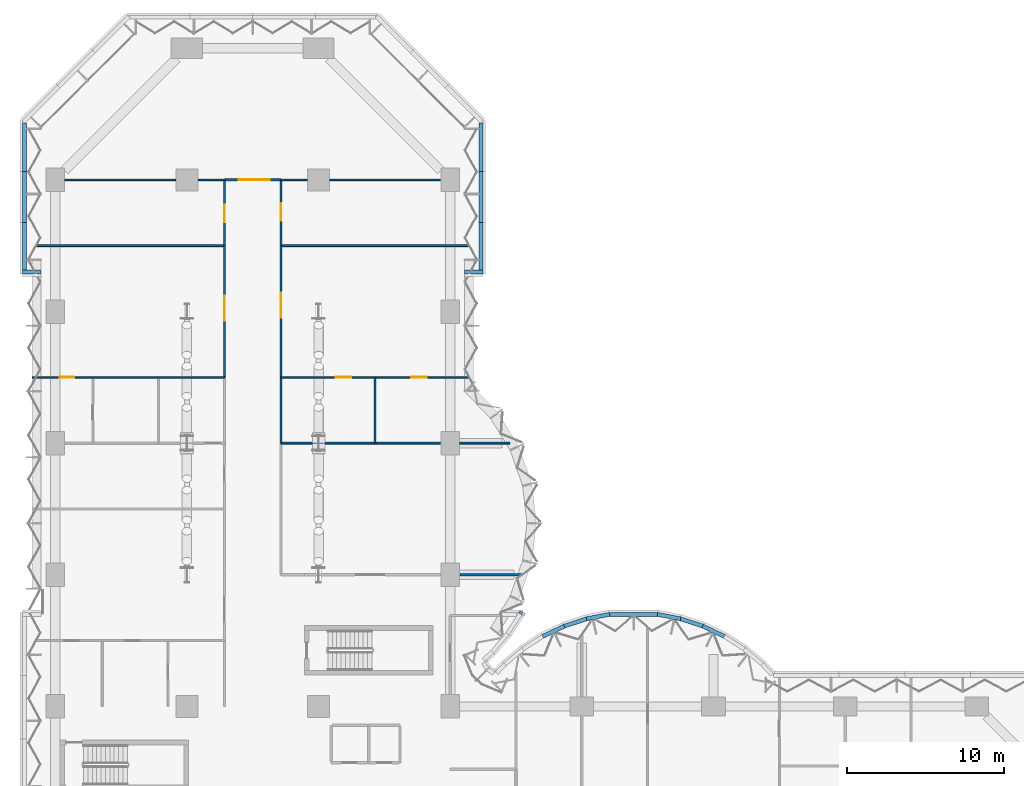
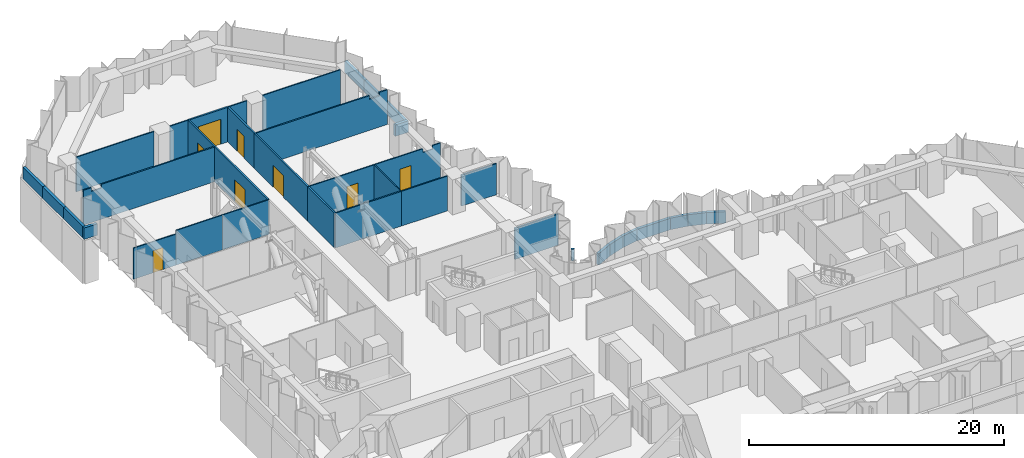
# One storey, part 14 of 24: 38 walls, 8 doors, 8 openings.
"""IFC4 building model written with IfcOpenShell, lengths in metres."""

from ifc_helpers import new_model, si_unit, direction, frame, frame_2d, origin, place, context, subcontext, project, spatial, polyline, rectangle, outline, extrude, material, layer, layer_set, type_object, element, fill, save


model = new_model("IFC4")

# Units and contexts
model_context = context("Model", 3, precision=1e-05, world=origin(), true_north=direction((0.0, 1.0)))
body_context = subcontext(model_context, "Body", "Model", "MODEL_VIEW")
ifc_project = project(units=[si_unit("LENGTHUNIT", "METRE"), si_unit("AREAUNIT", "SQUARE_METRE"), si_unit("VOLUMEUNIT", "CUBIC_METRE"), si_unit("PLANEANGLEUNIT", "RADIAN"), si_unit("MASSUNIT", "GRAM", prefix="KILO")], contexts=[model_context])

# Site, building, storey
site_placement = place(None, origin())
site = spatial("IfcSite", under=ifc_project, at=site_placement, CompositionType="ELEMENT")
building_placement = place(site_placement, origin())
building = spatial("IfcBuilding", under=site, at=building_placement, Name="Brevane Broadcast Tower", CompositionType="ELEMENT")
storey_placement = place(building_placement, frame((0.0, 0.0, 36.5)))
storey = spatial("IfcBuildingStorey", under=building, at=storey_placement, Name="L06", CompositionType="ELEMENT", Elevation=36.5)

# Walls
ifc_material_1 = material(Name="Concrete C50/60", Category="concrete")
ifc_layer_1 = layer(ifc_material_1, 0.25)
ifc_layer_set_1 = layer_set([ifc_layer_1], Name="CORNICE PARAPET 1100")
wall_type_1 = type_object("IfcWallType", Name="CORNICE PARAPET 1100", PredefinedType="PARAPET", material=ifc_layer_set_1)
wall_1_placement = place(storey_placement, frame((29.741943359375, 31.253662109375, 0.0), z_axis=(0.0, 0.0, 1.0), x_axis=(-0.430340964607, -0.902666413566, 0.0)))
element("IfcWall", 1, at=wall_1_placement, inside=storey, type_object=wall_type_1, Name="Cornice parapet", PredefinedType="PARAPET", context=body_context, shape_type="SweptSolid", body=[
    extrude(rectangle(XDim=0.162841796875, YDim=0.25, at=frame_2d((0.08154296875, 0.0))), origin(), (0.0, 0.0, 1.0), 1.10009765625),
])
wall_2_placement = place(storey_placement, frame((31.106689453125, 29.671875, 0.0), z_axis=(0.0, 0.0, 1.0), x_axis=(0.902810221444, 0.430039188977, 0.0)))
element("IfcWall", 2, at=wall_2_placement, inside=storey, type_object=wall_type_1, Name="Cornice parapet", PredefinedType="PARAPET", context=body_context, shape_type="SweptSolid", body=[
    extrude(rectangle(XDim=1.525390625, YDim=0.25, at=frame_2d((0.7626953125, 0.0))), origin(), (0.0, 0.0, 1.0), 1.10009765625),
])
wall_3_placement = place(storey_placement, frame((32.46923828125, 30.322021484375, 0.0), z_axis=(0.0, 0.0, 1.0), x_axis=(0.95006631844, 0.312048058103, 0.0)))
element("IfcWall", 3, at=wall_3_placement, inside=storey, type_object=wall_type_1, Name="Cornice parapet", PredefinedType="PARAPET", context=body_context, shape_type="SweptSolid", body=[
    extrude(rectangle(XDim=1.525634765625, YDim=0.25, at=frame_2d((0.7626953125, 0.0))), origin(), (0.0, 0.0, 1.0), 1.10009765625),
])
wall_4_placement = place(storey_placement, frame((33.9033203125, 30.794189453125, 0.0), z_axis=(0.0, 0.0, 1.0), x_axis=(0.981913193778, 0.189331666354, 0.0)))
element("IfcWall", 4, at=wall_4_placement, inside=storey, type_object=wall_type_1, Name="Cornice parapet", PredefinedType="PARAPET", context=body_context, shape_type="SweptSolid", body=[
    extrude(rectangle(XDim=1.495849609375, YDim=0.25, at=frame_2d((0.748046875, 0.0))), origin(), (0.0, 0.0, 1.0), 1.10009765625),
])
wall_5_placement = place(storey_placement, frame((35.348388671875, 31.074951171875, 0.0), z_axis=(0.0, 0.0, 1.0), x_axis=(1.0, 0.0, 0.0)))
element("IfcWall", 5, at=wall_5_placement, inside=storey, type_object=wall_type_1, Name="Cornice parapet", PredefinedType="PARAPET", context=body_context, shape_type="SweptSolid", body=[
    extrude(rectangle(XDim=3.103271484375, YDim=0.25, at=frame_2d((1.5517578125, 0.0))), origin(), (0.0, 0.0, 1.0), 1.10009765625),
])
wall_6_placement = place(storey_placement, frame((38.427978515625, 31.077392578125, 0.0), z_axis=(0.0, 0.0, 1.0), x_axis=(0.981913193778, -0.189331666354, 0.0)))
element("IfcWall", 6, at=wall_6_placement, inside=storey, type_object=wall_type_1, Name="Cornice parapet", PredefinedType="PARAPET", context=body_context, shape_type="SweptSolid", body=[
    extrude(rectangle(XDim=1.495849609375, YDim=0.25, at=frame_2d((0.748046875, 0.0))), origin(), (0.0, 0.0, 1.0), 1.10009765625),
])
for number, where, z_axis, x_axis, name in (
    (7, (39.88134765625, 30.798095703125, 0.0), (0.0, 0.0, 1.0), (0.95006631844, -0.312048058103, 0.0), "Cornice parapet"),
    (8, (41.31591796875, 30.327880859375, 0.0), (0.0, 0.0, 1.0), (0.902839812626, -0.42997706071, 0.0), "Cornice parapet"),
):
    element("IfcWall", number, at=place(storey_placement, frame(where, z_axis=z_axis, x_axis=x_axis)), inside=storey, type_object=wall_type_1, Name=name, PredefinedType="PARAPET", context=body_context, shape_type="SweptSolid", body=[
        extrude(rectangle(XDim=1.525634765625, YDim=0.25, at=frame_2d((0.7626953125, 0.0))), origin(), (0.0, 0.0, 1.0), 1.10009765625),
    ])
wall_7_placement = place(storey_placement, frame((27.175048828125, 62.427001953125, 0.0), z_axis=(0.0, 0.0, 1.0), x_axis=(0.0, -1.0, 0.0)))
element("IfcWall", 9, at=wall_7_placement, inside=storey, type_object=wall_type_1, Name="Cornice parapet", PredefinedType="PARAPET", context=body_context, shape_type="SweptSolid", body=[
    extrude(rectangle(XDim=3.095703125, YDim=0.25, at=frame_2d((1.5478515625, 0.0))), origin(), (0.0, 0.0, 1.0), 1.10009765625),
])
wall_8_placement = place(storey_placement, frame((27.175048828125, 59.331298828125, 0.0), z_axis=(0.0, 0.0, 1.0), x_axis=(0.0, -1.0, 0.0)))
element("IfcWall", 10, at=wall_8_placement, inside=storey, type_object=wall_type_1, Name="Cornice parapet", PredefinedType="PARAPET", context=body_context, shape_type="SweptSolid", body=[
    extrude(rectangle(XDim=3.265625, YDim=0.25, at=frame_2d((1.6328125, 0.0))), origin(), (0.0, 0.0, 1.0), 1.10009765625),
])
wall_9_placement = place(storey_placement, frame((27.175048828125, 56.065673828125, 0.0), z_axis=(0.0, 0.0, 1.0), x_axis=(0.0, -1.0, 0.0)))
element("IfcWall", 11, at=wall_9_placement, inside=storey, type_object=wall_type_1, Name="Cornice parapet", PredefinedType="PARAPET", context=body_context, shape_type="SweptSolid", body=[
    extrude(rectangle(XDim=3.015625, YDim=0.25, at=frame_2d((1.5078125, 0.0))), origin(), (0.0, 0.0, 1.0), 1.10009765625),
])
wall_10_placement = place(storey_placement, frame((27.300048828125, 52.925048828125, 0.0), z_axis=(0.0, 0.0, 1.0), x_axis=(-1.0, 0.0, 0.0)))
element("IfcWall", 12, at=wall_10_placement, inside=storey, type_object=wall_type_1, Name="Cornice parapet", PredefinedType="PARAPET", context=body_context, shape_type="SweptSolid", body=[
    extrude(rectangle(XDim=1.199951171875, YDim=0.25, at=frame_2d((0.60009765625, 0.0))), origin(), (0.0, 0.0, 1.0), 1.10009765625),
])
wall_11_placement = place(storey_placement, frame((-0.89990234375, 52.925048828125, 0.0), z_axis=(0.0, 0.0, 1.0), x_axis=(-1.0, 0.0, 0.0)))
element("IfcWall", 13, at=wall_11_placement, inside=storey, type_object=wall_type_1, Name="Cornice parapet", PredefinedType="PARAPET", context=body_context, shape_type="SweptSolid", body=[
    extrude(rectangle(XDim=1.2001953125, YDim=0.25, at=frame_2d((0.60009765625, 0.0))), origin(), (0.0, 0.0, 1.0), 1.10009765625),
])
wall_12_placement = place(storey_placement, frame((-1.97509765625, 53.050048828125, 0.0), z_axis=(0.0, 0.0, 1.0), x_axis=(0.0, 1.0, 0.0)))
element("IfcWall", 14, at=wall_12_placement, inside=storey, type_object=wall_type_1, Name="Cornice parapet", PredefinedType="PARAPET", context=body_context, shape_type="SweptSolid", body=[
    extrude(rectangle(XDim=3.015625, YDim=0.25, at=frame_2d((1.5078125, 0.0))), origin(), (0.0, 0.0, 1.0), 1.10009765625),
])
wall_13_placement = place(storey_placement, frame((-1.97509765625, 56.065673828125, 0.0), z_axis=(0.0, 0.0, 1.0), x_axis=(0.0, 1.0, 0.0)))
element("IfcWall", 15, at=wall_13_placement, inside=storey, type_object=wall_type_1, Name="Cornice parapet", PredefinedType="PARAPET", context=body_context, shape_type="SweptSolid", body=[
    extrude(rectangle(XDim=3.265625, YDim=0.25, at=frame_2d((1.6328125, 0.0))), origin(), (0.0, 0.0, 1.0), 1.10009765625),
])
wall_14_placement = place(storey_placement, frame((-1.97509765625, 59.331298828125, 0.0), z_axis=(0.0, 0.0, 1.0), x_axis=(0.0, 1.0, 0.0)))
element("IfcWall", 16, at=wall_14_placement, inside=storey, type_object=wall_type_1, Name="Cornice parapet", PredefinedType="PARAPET", context=body_context, shape_type="SweptSolid", body=[
    extrude(rectangle(XDim=3.095703125, YDim=0.25, at=frame_2d((1.5478515625, 0.0))), origin(), (0.0, 0.0, 1.0), 1.10009765625),
])
ifc_material_2 = material(Name="Gypsum board partition")
ifc_layer_2 = layer(ifc_material_2, 0.10009765625)
ifc_layer_set_2 = layer_set([ifc_layer_2], Name="PARTITION 100 STUD")
wall_type_2 = type_object("IfcWallType", Name="PARTITION 100 STUD", PredefinedType="PARTITIONING", material=ifc_layer_set_2)
wall_15_placement = place(storey_placement, frame((10.800048828125, 58.800048828125, 0.0), z_axis=(0.0, 0.0, 1.0), x_axis=(-1.0, 0.0, 0.0)))
element("IfcWall", 17, at=wall_15_placement, inside=storey, type_object=wall_type_2, Name="Partition G01-068", PredefinedType="PARTITIONING", context=body_context, shape_type="SweptSolid", body=[
    extrude(rectangle(XDim=1.679931640625, YDim=0.10009765625, at=frame_2d((0.83984375, 0.0))), origin(), (0.0, 0.0, 1.0), 3.330078125),
])
wall_16_placement = place(storey_placement, frame((7.679931640625, 58.800048828125, 0.0), z_axis=(0.0, 0.0, 1.0), x_axis=(-1.0, 0.0, 0.0)))
element("IfcWall", 18, at=wall_16_placement, inside=storey, type_object=wall_type_2, Name="Partition G01-069", PredefinedType="PARTITIONING", context=body_context, shape_type="SweptSolid", body=[
    extrude(rectangle(XDim=7.059814453125, YDim=0.10009765625, at=frame_2d((3.52978515625, 0.0))), origin(), (0.0, 0.0, 1.0), 3.330078125),
])
wall_17_placement = place(storey_placement, frame((24.580078125, 58.800048828125, 0.0), z_axis=(0.0, 0.0, 1.0), x_axis=(-1.0, 0.0, 0.0)))
element("IfcWall", 19, at=wall_17_placement, inside=storey, type_object=wall_type_2, Name="Partition G01-070", PredefinedType="PARTITIONING", context=body_context, shape_type="SweptSolid", body=[
    extrude(rectangle(XDim=7.06005859375, YDim=0.10009765625, at=frame_2d((3.530029296875, 0.0))), origin(), (0.0, 0.0, 1.0), 3.330078125),
])
wall_18_placement = place(storey_placement, frame((16.080078125, 58.800048828125, 0.0), z_axis=(0.0, 0.0, 1.0), x_axis=(-1.0, 0.0, 0.0)))
element("IfcWall", 20, at=wall_18_placement, inside=storey, type_object=wall_type_2, Name="Partition G01-071", PredefinedType="PARTITIONING", context=body_context, shape_type="SweptSolid", body=[
    extrude(rectangle(XDim=1.68017578125, YDim=0.10009765625, at=frame_2d((0.840087890625, 0.0))), origin(), (0.0, 0.0, 1.0), 3.330078125),
])

# Wall, opening, door
wall_19_placement = place(storey_placement, frame((2.39990234375, 46.199951171875, 0.0), z_axis=(0.0, 0.0, 1.0), x_axis=(-1.0, 0.0, 0.0)))
wall_19 = element("IfcWall", 21, at=wall_19_placement, inside=storey, type_object=wall_type_2, Name="Partition G01-081", PredefinedType="PARTITIONING", context=body_context, shape_type="SweptSolid", body=[
    extrude(rectangle(XDim=3.869873046875, YDim=0.10009765625, at=frame_2d((1.93505859375, 0.0))), origin(), (0.0, 0.0, 1.0), 2.97998046875),
])
opening_1_placement = place(wall_19_placement, frame((1.199951171875, 0.0, 0.0)))
opening_1 = element("IfcOpeningElement", 22, at=opening_1_placement, cuts=wall_19, Name="Opening D07-027", PredefinedType="OPENING", context=body_context, shape_type="SweptSolid", body=[
    extrude(rectangle(XDim=0.89990234375, YDim=2.10009765625, at=frame_2d((0.449951171875, 1.050048828125))), frame((0.0, 0.06005859375, 0.0), z_axis=(0.0, -1.0, 0.0), x_axis=(1.0, 0.0, 0.0)), (0.0, 0.0, 1.0), 0.1201171875),
])
ifc_material_3 = material(Name="Timber door leaf", Category="wood")
door_type_1 = type_object("IfcDoorType", Name="DOOR SINGLE 900 INTERNAL", OperationType="SINGLE_SWING_LEFT", PredefinedType="DOOR", material=ifc_material_3)
door_1_placement = place(opening_1_placement, origin())
door_1 = element("IfcDoor", 23, at=door_1_placement, inside=storey, type_object=door_type_1, Name="Door D07-027", OperationType="SINGLE_SWING_LEFT", OverallHeight=2.10009765625, OverallWidth=0.89990234375, PredefinedType="DOOR", context=body_context, shape_type="SweptSolid", body=[
    extrude(rectangle(XDim=0.89990234375, YDim=2.10009765625, at=frame_2d((0.449951171875, 1.050048828125))), frame((0.0, 0.02490234375, 0.0), z_axis=(0.0, -1.0, 0.0), x_axis=(1.0, 0.0, 0.0)), (0.0, 0.0, 1.0), 0.050048828125),
])
fill(opening_1, door_1)

# Walls
wall_20_placement = place(storey_placement, frame((6.60009765625, 46.199951171875, 0.0), z_axis=(0.0, 0.0, 1.0), x_axis=(-1.0, 0.0, 0.0)))
element("IfcWall", 24, at=wall_20_placement, inside=storey, type_object=wall_type_2, Name="Partition G01-082", PredefinedType="PARTITIONING", context=body_context, shape_type="SweptSolid", body=[
    extrude(rectangle(XDim=4.2001953125, YDim=0.10009765625, at=frame_2d((2.10009765625, 0.0))), origin(), (0.0, 0.0, 1.0), 3.330078125),
])
wall_21_placement = place(storey_placement, frame((10.800048828125, 46.199951171875, 0.0), z_axis=(0.0, 0.0, 1.0), x_axis=(-1.0, 0.0, 0.0)))
element("IfcWall", 25, at=wall_21_placement, inside=storey, type_object=wall_type_2, Name="Partition G01-083", PredefinedType="PARTITIONING", context=body_context, shape_type="SweptSolid", body=[
    extrude(rectangle(XDim=4.199951171875, YDim=0.10009765625, at=frame_2d((2.10009765625, 0.0))), origin(), (0.0, 0.0, 1.0), 3.330078125),
])

# Wall, opening, door
wall_22_placement = place(storey_placement, frame((20.39990234375, 46.199951171875, 0.0), z_axis=(0.0, 0.0, 1.0), x_axis=(-1.0, 0.0, 0.0)))
wall_22 = element("IfcWall", 26, at=wall_22_placement, inside=storey, type_object=wall_type_2, Name="Partition G01-090", PredefinedType="PARTITIONING", context=body_context, shape_type="SweptSolid", body=[
    extrude(rectangle(XDim=6.0, YDim=0.10009765625, at=frame_2d((3.0, 0.0))), origin(), (0.0, 0.0, 1.0), 3.330078125),
])
opening_2_placement = place(wall_22_placement, frame((1.5, 0.0, 0.0)))
opening_2 = element("IfcOpeningElement", 27, at=opening_2_placement, cuts=wall_22, Name="Opening D07-033", PredefinedType="OPENING", context=body_context, shape_type="SweptSolid", body=[
    extrude(rectangle(XDim=1.0, YDim=2.10009765625, at=frame_2d((0.5, 1.050048828125))), frame((0.0, 0.06005859375, 0.0), z_axis=(0.0, -1.0, 0.0), x_axis=(1.0, 0.0, 0.0)), (0.0, 0.0, 1.0), 0.1201171875),
])
door_type_2 = type_object("IfcDoorType", Name="DOOR SINGLE 1000 INTERNAL", OperationType="SINGLE_SWING_LEFT", PredefinedType="DOOR", material=ifc_material_3)
door_2_placement = place(opening_2_placement, origin())
door_2 = element("IfcDoor", 28, at=door_2_placement, inside=storey, type_object=door_type_2, Name="Door D07-033", OperationType="SINGLE_SWING_LEFT", OverallHeight=2.10009765625, OverallWidth=1.0, PredefinedType="DOOR", context=body_context, shape_type="SweptSolid", body=[
    extrude(rectangle(XDim=1.0, YDim=2.10009765625, at=frame_2d((0.5, 1.050048828125))), frame((0.0, 0.02490234375, 0.0), z_axis=(0.0, -1.0, 0.0), x_axis=(1.0, 0.0, 0.0)), (0.0, 0.0, 1.0), 0.050048828125),
])
fill(opening_2, door_2)

wall_23_placement = place(storey_placement, frame((26.3740234375, 46.199951171875, 0.0), z_axis=(0.0, 0.0, 1.0), x_axis=(-1.0, 0.0, 0.0)))
wall_23 = element("IfcWall", 29, at=wall_23_placement, inside=storey, type_object=wall_type_2, Name="Partition G01-091", PredefinedType="PARTITIONING", context=body_context, shape_type="SweptSolid", body=[
    extrude(outline(polyline([(0.0, 0.0), (5.97412109375, 0.0), (5.97412109375, 3.330078125), (1.6240234375, 3.330078125), (1.6220703125, 2.97998046875), (0.72607421875, 2.97998046875), (0.72412109375, 3.330078125), (0.073974609375, 3.330078125), (0.0, 3.330078125), (0.0, 0.0)])), frame((0.0, 0.050048828125, 0.0), z_axis=(0.0, -1.0, 0.0), x_axis=(1.0, 0.0, 0.0)), (0.0, 0.0, 1.0), 0.10009765625),
])
opening_3_placement = place(wall_23_placement, frame((2.674072265625, 0.0, 0.0)))
opening_3 = element("IfcOpeningElement", 30, at=opening_3_placement, cuts=wall_23, Name="Opening D07-034", PredefinedType="OPENING", context=body_context, shape_type="SweptSolid", body=[
    extrude(rectangle(XDim=1.0, YDim=2.10009765625, at=frame_2d((0.5, 1.050048828125))), frame((0.0, 0.06005859375, 0.0), z_axis=(0.0, -1.0, 0.0), x_axis=(1.0, 0.0, 0.0)), (0.0, 0.0, 1.0), 0.1201171875),
])
door_3_placement = place(opening_3_placement, origin())
door_3 = element("IfcDoor", 31, at=door_3_placement, inside=storey, type_object=door_type_2, Name="Door D07-034", OperationType="SINGLE_SWING_LEFT", OverallHeight=2.10009765625, OverallWidth=1.0, PredefinedType="DOOR", context=body_context, shape_type="SweptSolid", body=[
    extrude(rectangle(XDim=1.0, YDim=2.10009765625, at=frame_2d((0.5, 1.050048828125))), frame((0.0, 0.02490234375, 0.0), z_axis=(0.0, -1.0, 0.0), x_axis=(1.0, 0.0, 0.0)), (0.0, 0.0, 1.0), 0.050048828125),
])
fill(opening_3, door_3)

# Walls
wall_24_placement = place(storey_placement, frame((20.39990234375, 46.199951171875, 0.0), z_axis=(0.0, 0.0, 1.0), x_axis=(0.0, -1.0, 0.0)))
element("IfcWall", 32, at=wall_24_placement, inside=storey, type_object=wall_type_2, Name="Partition G01-093", PredefinedType="PARTITIONING", context=body_context, shape_type="SweptSolid", body=[
    extrude(rectangle(XDim=4.199951171875, YDim=0.10009765625, at=frame_2d((2.10009765625, 0.0))), origin(), (0.0, 0.0, 1.0), 3.330078125),
])
ifc_layer_3 = layer(ifc_material_2, 0.125)
ifc_layer_set_3 = layer_set([ifc_layer_3], Name="PARTITION 125 ACOUSTIC")
wall_type_3 = type_object("IfcWallType", Name="PARTITION 125 ACOUSTIC", PredefinedType="PARTITIONING", material=ifc_layer_set_3)
wall_25_placement = place(storey_placement, frame((-1.174072265625, 54.60009765625, 0.0), z_axis=(0.0, 0.0, 1.0), x_axis=(1.0, 0.0, 0.0)))
element("IfcWall", 33, at=wall_25_placement, inside=storey, type_object=wall_type_3, Name="Partition G01-084", PredefinedType="PARTITIONING", context=body_context, shape_type="SweptSolid", body=[
    extrude(outline(polyline([(0.0, 0.0), (11.97412109375, 0.0), (11.97412109375, 3.330078125), (1.6240234375, 3.330078125), (1.6220703125, 2.97998046875), (0.72607421875, 2.97998046875), (0.72412109375, 3.330078125), (0.073974609375, 3.330078125), (0.0, 3.330078125), (0.0, 0.0)])), frame((0.0, 0.0625, 0.0), z_axis=(0.0, -1.0, 0.0), x_axis=(1.0, 0.0, 0.0)), (0.0, 0.0, 1.0), 0.125),
])
wall_26_placement = place(storey_placement, frame((14.39990234375, 42.0, 0.0), z_axis=(0.0, 0.0, 1.0), x_axis=(1.0, 0.0, 0.0)))
element("IfcWall", 34, at=wall_26_placement, inside=storey, type_object=wall_type_3, Name="Partition G01-087", PredefinedType="PARTITIONING", context=body_context, shape_type="SweptSolid", body=[
    extrude(rectangle(XDim=6.0, YDim=0.125, at=frame_2d((3.0, 0.0))), origin(), (0.0, 0.0, 1.0), 3.330078125),
])
wall_27_placement = place(storey_placement, frame((20.39990234375, 42.0, 0.0), z_axis=(0.0, 0.0, 1.0), x_axis=(1.0, 0.0, 0.0)))
element("IfcWall", 35, at=wall_27_placement, inside=storey, type_object=wall_type_3, Name="Partition G01-088", PredefinedType="PARTITIONING", context=body_context, shape_type="SweptSolid", body=[
    extrude(rectangle(XDim=4.18017578125, YDim=0.125, at=frame_2d((2.090087890625, 0.0))), origin(), (0.0, 0.0, 1.0), 3.330078125),
])
wall_28_placement = place(storey_placement, frame((25.820068359375, 42.0, 0.0), z_axis=(0.0, 0.0, 1.0), x_axis=(1.0, 0.0, 0.0)))
element("IfcWall", 36, at=wall_28_placement, inside=storey, type_object=wall_type_3, Name="Partition G01-089", PredefinedType="PARTITIONING", context=body_context, shape_type="SweptSolid", body=[
    extrude(rectangle(XDim=3.19140625, YDim=0.125, at=frame_2d((1.595703125, 0.0))), origin(), (0.0, 0.0, 1.0), 2.97998046875),
])
wall_29_placement = place(storey_placement, frame((14.39990234375, 54.60009765625, 0.0), z_axis=(0.0, 0.0, 1.0), x_axis=(1.0, 0.0, 0.0)))
element("IfcWall", 37, at=wall_29_placement, inside=storey, type_object=wall_type_3, Name="Partition G01-092", PredefinedType="PARTITIONING", context=body_context, shape_type="SweptSolid", body=[
    extrude(outline(polyline([(0.0, 0.0), (11.97412109375, 0.0), (11.97412109375, 3.330078125), (11.89990234375, 3.330078125), (11.25, 3.330078125), (11.248046875, 2.97998046875), (10.35205078125, 2.97998046875), (10.35009765625, 3.330078125), (0.0, 3.330078125), (0.0, 0.0)])), frame((0.0, 0.0625, 0.0), z_axis=(0.0, -1.0, 0.0), x_axis=(1.0, 0.0, 0.0)), (0.0, 0.0, 1.0), 0.125),
])
ifc_layer_4 = layer(ifc_material_2, 0.14990234375)
ifc_layer_set_4 = layer_set([ifc_layer_4], Name="PARTITION 150 EI 60")
wall_type_4 = type_object("IfcWallType", Name="PARTITION 150 EI 60", PredefinedType="PARTITIONING", material=ifc_layer_set_4)
wall_30_placement = place(storey_placement, frame((25.820068359375, 33.60009765625, 0.0), z_axis=(0.0, 0.0, 1.0), x_axis=(1.0, 0.0, 0.0)))
element("IfcWall", 38, at=wall_30_placement, inside=storey, type_object=wall_type_4, Name="Partition G01-057", PredefinedType="PARTITIONING", context=body_context, shape_type="SweptSolid", body=[
    extrude(rectangle(XDim=3.94189453125, YDim=0.14990234375, at=frame_2d((1.970947265625, 0.0))), origin(), (0.0, 0.0, 1.0), 2.97998046875),
])

# Wall, opening, door
wall_31_placement = place(storey_placement, frame((10.800048828125, 58.800048828125, 0.0), z_axis=(0.0, 0.0, 1.0), x_axis=(1.0, 0.0, 0.0)))
wall_31 = element("IfcWall", 39, at=wall_31_placement, inside=storey, type_object=wall_type_4, Name="Partition G01-058", PredefinedType="PARTITIONING", context=body_context, shape_type="SweptSolid", body=[
    extrude(rectangle(XDim=3.599853515625, YDim=0.14990234375, at=frame_2d((1.7998046875, 0.0))), origin(), (0.0, 0.0, 1.0), 3.330078125),
])
opening_4_placement = place(wall_31_placement, frame((0.89990234375, 0.0, 0.0)))
opening_4 = element("IfcOpeningElement", 40, at=opening_4_placement, cuts=wall_31, Name="Opening D07-020", PredefinedType="OPENING", context=body_context, shape_type="SweptSolid", body=[
    extrude(rectangle(XDim=2.0, YDim=2.39990234375, at=frame_2d((1.0, 1.199951171875))), frame((0.0, 0.0849609375, 0.0), z_axis=(0.0, -1.0, 0.0), x_axis=(1.0, 0.0, 0.0)), (0.0, 0.0, 1.0), 0.169921875),
])
ifc_material_4 = material(Name="Fire-rated timber door leaf", Category="wood")
door_type_3 = type_object("IfcDoorType", Name="DOOR DOUBLE 2000 FD30S", OperationType="DOUBLE_DOOR_SINGLE_SWING", PredefinedType="DOOR", material=ifc_material_4)
door_4_placement = place(opening_4_placement, origin())
door_4 = element("IfcDoor", 41, at=door_4_placement, inside=storey, type_object=door_type_3, Name="Door D07-020", OperationType="DOUBLE_DOOR_SINGLE_SWING", OverallHeight=2.39990234375, OverallWidth=2.0, PredefinedType="DOOR", context=body_context, shape_type="SweptSolid", body=[
    extrude(rectangle(XDim=2.0, YDim=2.39990234375, at=frame_2d((1.0, 1.199951171875))), frame((0.0, 0.02490234375, 0.0), z_axis=(0.0, -1.0, 0.0), x_axis=(1.0, 0.0, 0.0)), (0.0, 0.0, 1.0), 0.050048828125),
])
fill(opening_4, door_4)

wall_32_placement = place(storey_placement, frame((10.800048828125, 46.199951171875, 0.0), z_axis=(0.0, 0.0, 1.0), x_axis=(0.0, 1.0, 0.0)))
wall_32 = element("IfcWall", 42, at=wall_32_placement, inside=storey, type_object=wall_type_4, Name="Partition G01-061", PredefinedType="PARTITIONING", context=body_context, shape_type="SweptSolid", body=[
    extrude(rectangle(XDim=8.400146484375, YDim=0.14990234375, at=frame_2d((4.2001953125, 0.0))), origin(), (0.0, 0.0, 1.0), 3.330078125),
])
opening_5_placement = place(wall_32_placement, frame((3.60009765625, 0.0, 0.0)))
opening_5 = element("IfcOpeningElement", 43, at=opening_5_placement, cuts=wall_32, Name="Opening D07-026", PredefinedType="OPENING", context=body_context, shape_type="SweptSolid", body=[
    extrude(rectangle(XDim=1.60009765625, YDim=2.10009765625, at=frame_2d((0.800048828125, 1.050048828125))), frame((0.0, 0.0849609375, 0.0), z_axis=(0.0, -1.0, 0.0), x_axis=(1.0, 0.0, 0.0)), (0.0, 0.0, 1.0), 0.169921875),
])
door_type_4 = type_object("IfcDoorType", Name="DOOR DOUBLE 1600 FD30S", OperationType="DOUBLE_DOOR_SINGLE_SWING", PredefinedType="DOOR", material=ifc_material_4)
door_5_placement = place(opening_5_placement, origin())
door_5 = element("IfcDoor", 44, at=door_5_placement, inside=storey, type_object=door_type_4, Name="Door D07-026", OperationType="DOUBLE_DOOR_SINGLE_SWING", OverallHeight=2.10009765625, OverallWidth=1.60009765625, PredefinedType="DOOR", context=body_context, shape_type="SweptSolid", body=[
    extrude(rectangle(XDim=1.60009765625, YDim=2.10009765625, at=frame_2d((0.800048828125, 1.050048828125))), frame((0.0, 0.02490234375, 0.0), z_axis=(0.0, -1.0, 0.0), x_axis=(1.0, 0.0, 0.0)), (0.0, 0.0, 1.0), 0.050048828125),
])
fill(opening_5, door_5)

wall_33_placement = place(storey_placement, frame((10.800048828125, 54.60009765625, 0.0), z_axis=(0.0, 0.0, 1.0), x_axis=(0.0, 1.0, 0.0)))
wall_33 = element("IfcWall", 45, at=wall_33_placement, inside=storey, type_object=wall_type_4, Name="Partition G01-063", PredefinedType="PARTITIONING", context=body_context, shape_type="SweptSolid", body=[
    extrude(rectangle(XDim=4.199951171875, YDim=0.14990234375, at=frame_2d((2.10009765625, 0.0))), origin(), (0.0, 0.0, 1.0), 3.330078125),
])
opening_6_placement = place(wall_33_placement, frame((1.5, 0.0, 0.0)))
opening_6 = element("IfcOpeningElement", 46, at=opening_6_placement, cuts=wall_33, Name="Opening D07-030", PredefinedType="OPENING", context=body_context, shape_type="SweptSolid", body=[
    extrude(rectangle(XDim=1.10009765625, YDim=2.10009765625, at=frame_2d((0.550048828125, 1.050048828125))), frame((0.0, 0.0849609375, 0.0), z_axis=(0.0, -1.0, 0.0), x_axis=(1.0, 0.0, 0.0)), (0.0, 0.0, 1.0), 0.169921875),
])
door_type_5 = type_object("IfcDoorType", Name="DOOR SINGLE 1100 FD30S", OperationType="SINGLE_SWING_LEFT", PredefinedType="DOOR", material=ifc_material_4)
door_6_placement = place(opening_6_placement, origin())
door_6 = element("IfcDoor", 47, at=door_6_placement, inside=storey, type_object=door_type_5, Name="Door D07-030", OperationType="SINGLE_SWING_LEFT", OverallHeight=2.10009765625, OverallWidth=1.10009765625, PredefinedType="DOOR", context=body_context, shape_type="SweptSolid", body=[
    extrude(rectangle(XDim=1.10009765625, YDim=2.10009765625, at=frame_2d((0.550048828125, 1.050048828125))), frame((0.0, 0.02490234375, 0.0), z_axis=(0.0, -1.0, 0.0), x_axis=(1.0, 0.0, 0.0)), (0.0, 0.0, 1.0), 0.050048828125),
])
fill(opening_6, door_6)

wall_34_placement = place(storey_placement, frame((14.39990234375, 54.60009765625, 0.0), z_axis=(0.0, 0.0, 1.0), x_axis=(0.0, -1.0, 0.0)))
wall_34 = element("IfcWall", 48, at=wall_34_placement, inside=storey, type_object=wall_type_4, Name="Partition G01-065", PredefinedType="PARTITIONING", context=body_context, shape_type="SweptSolid", body=[
    extrude(rectangle(XDim=8.400146484375, YDim=0.14990234375, at=frame_2d((4.2001953125, 0.0))), origin(), (0.0, 0.0, 1.0), 3.330078125),
])
opening_7_placement = place(wall_34_placement, frame((3.0, 0.0, 0.0)))
opening_7 = element("IfcOpeningElement", 49, at=opening_7_placement, cuts=wall_34, Name="Opening D07-032", PredefinedType="OPENING", context=body_context, shape_type="SweptSolid", body=[
    extrude(rectangle(XDim=1.60009765625, YDim=2.10009765625, at=frame_2d((0.800048828125, 1.050048828125))), frame((0.0, 0.0849609375, 0.0), z_axis=(0.0, -1.0, 0.0), x_axis=(1.0, 0.0, 0.0)), (0.0, 0.0, 1.0), 0.169921875),
])
door_7_placement = place(opening_7_placement, origin())
door_7 = element("IfcDoor", 50, at=door_7_placement, inside=storey, type_object=door_type_4, Name="Door D07-032", OperationType="DOUBLE_DOOR_SINGLE_SWING", OverallHeight=2.10009765625, OverallWidth=1.60009765625, PredefinedType="DOOR", context=body_context, shape_type="SweptSolid", body=[
    extrude(rectangle(XDim=1.60009765625, YDim=2.10009765625, at=frame_2d((0.800048828125, 1.050048828125))), frame((0.0, 0.02490234375, 0.0), z_axis=(0.0, -1.0, 0.0), x_axis=(1.0, 0.0, 0.0)), (0.0, 0.0, 1.0), 0.050048828125),
])
fill(opening_7, door_7)

# Wall
wall_35_placement = place(storey_placement, frame((14.39990234375, 46.199951171875, 0.0), z_axis=(0.0, 0.0, 1.0), x_axis=(0.0, -1.0, 0.0)))
element("IfcWall", 51, at=wall_35_placement, inside=storey, type_object=wall_type_4, Name="Partition G01-066", PredefinedType="PARTITIONING", context=body_context, shape_type="SweptSolid", body=[
    extrude(rectangle(XDim=4.199951171875, YDim=0.14990234375, at=frame_2d((2.10009765625, 0.0))), origin(), (0.0, 0.0, 1.0), 3.330078125),
])

# Wall, opening, door
wall_36_placement = place(storey_placement, frame((14.39990234375, 58.800048828125, 0.0), z_axis=(0.0, 0.0, 1.0), x_axis=(0.0, -1.0, 0.0)))
wall_36 = element("IfcWall", 52, at=wall_36_placement, inside=storey, type_object=wall_type_4, Name="Partition G01-067", PredefinedType="PARTITIONING", context=body_context, shape_type="SweptSolid", body=[
    extrude(rectangle(XDim=4.199951171875, YDim=0.14990234375, at=frame_2d((2.10009765625, 0.0))), origin(), (0.0, 0.0, 1.0), 3.330078125),
])
opening_8_placement = place(wall_36_placement, frame((1.5, 0.0, 0.0)))
opening_8 = element("IfcOpeningElement", 53, at=opening_8_placement, cuts=wall_36, Name="Opening D07-035", PredefinedType="OPENING", context=body_context, shape_type="SweptSolid", body=[
    extrude(rectangle(XDim=1.10009765625, YDim=2.10009765625, at=frame_2d((0.550048828125, 1.050048828125))), frame((0.0, 0.0849609375, 0.0), z_axis=(0.0, -1.0, 0.0), x_axis=(1.0, 0.0, 0.0)), (0.0, 0.0, 1.0), 0.169921875),
])
door_8_placement = place(opening_8_placement, origin())
door_8 = element("IfcDoor", 54, at=door_8_placement, inside=storey, type_object=door_type_5, Name="Door D07-035", OperationType="SINGLE_SWING_LEFT", OverallHeight=2.10009765625, OverallWidth=1.10009765625, PredefinedType="DOOR", context=body_context, shape_type="SweptSolid", body=[
    extrude(rectangle(XDim=1.10009765625, YDim=2.10009765625, at=frame_2d((0.550048828125, 1.050048828125))), frame((0.0, 0.02490234375, 0.0), z_axis=(0.0, -1.0, 0.0), x_axis=(1.0, 0.0, 0.0)), (0.0, 0.0, 1.0), 0.050048828125),
])
fill(opening_8, door_8)

save(model, "model.ifc")
